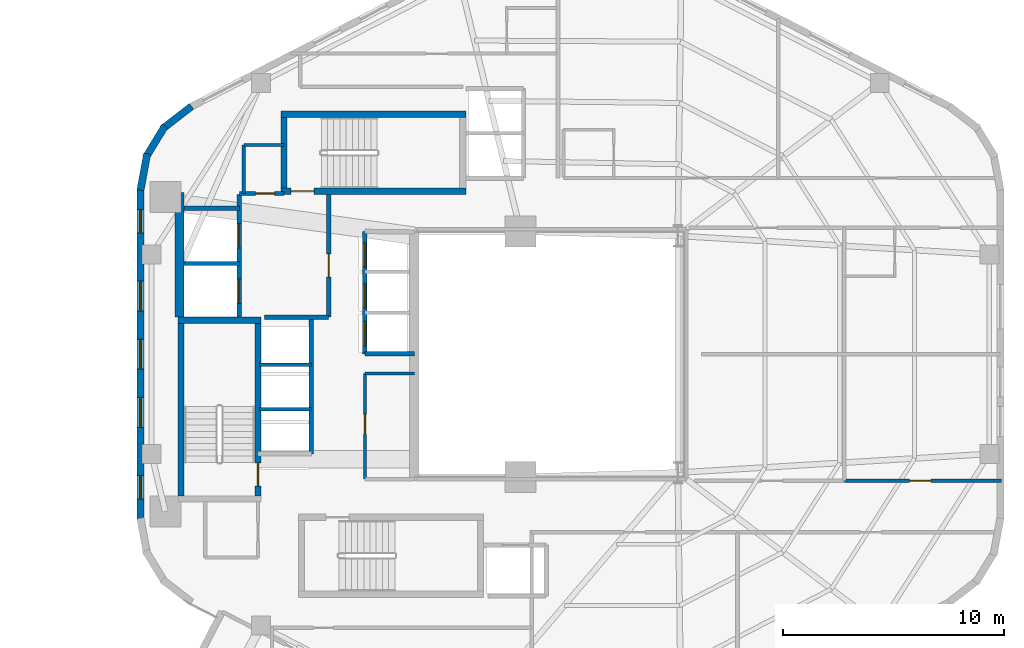
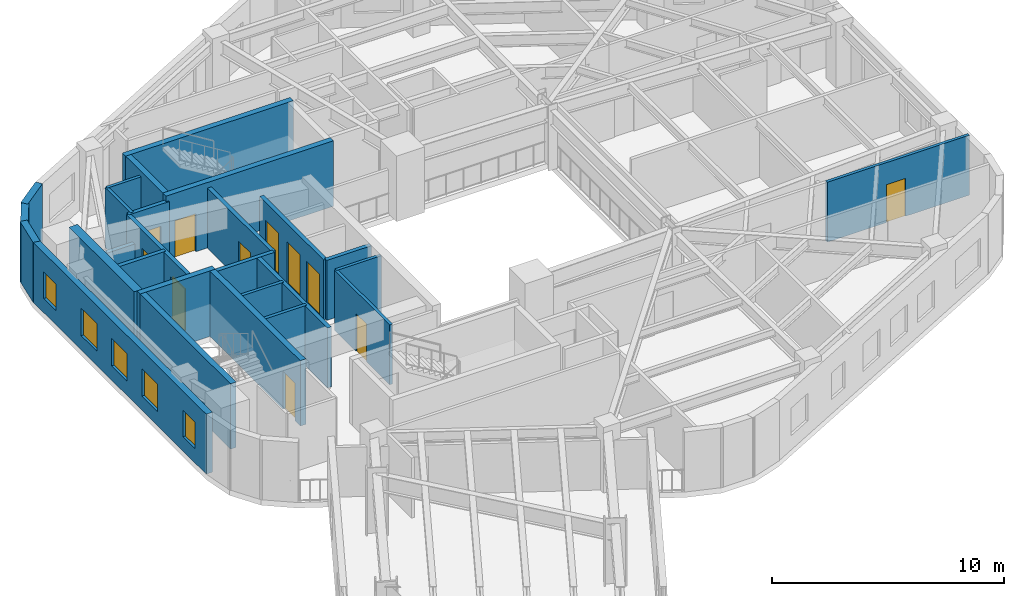
# One storey, part 6 of 9: 27 walls, 11 doors, 5 windows, 16 openings.
"""IFC4 building model written with IfcOpenShell, lengths in metres."""

from ifc_helpers import new_model, si_unit, direction, frame, frame_2d, origin, place, context, subcontext, project, spatial, rectangle, extrude, material, layer, layer_set, type_object, element, fill, save


model = new_model("IFC4")

# Units and contexts
model_context = context("Model", 3, precision=1e-05, world=origin(), true_north=direction((0.0, 1.0)))
body_context = subcontext(model_context, "Body", "Model", "MODEL_VIEW")
ifc_project = project(units=[si_unit("LENGTHUNIT", "METRE"), si_unit("AREAUNIT", "SQUARE_METRE"), si_unit("VOLUMEUNIT", "CUBIC_METRE"), si_unit("PLANEANGLEUNIT", "RADIAN"), si_unit("MASSUNIT", "GRAM", prefix="KILO"), si_unit("THERMODYNAMICTEMPERATUREUNIT", "KELVIN"), si_unit("POWERUNIT", "WATT")], contexts=[model_context])

# Site, building, storey
site_placement = place(None, origin())
site = spatial("IfcSite", under=ifc_project, at=site_placement, CompositionType="ELEMENT")
building_placement = place(site_placement, origin())
building = spatial("IfcBuilding", under=site, at=building_placement, Name="Skarre Station Tower", CompositionType="ELEMENT")
storey_placement = place(building_placement, frame((0.0, 0.0, 174.0)))
storey = spatial("IfcBuildingStorey", under=building, at=storey_placement, Name="L47", CompositionType="ELEMENT", Elevation=174.0)

# Wall, opening, door
ifc_material_1 = material(Name="Acoustic Steel-Stud Gypsum Partition", Category="steel")
ifc_layer_1 = layer(ifc_material_1, 0.14990234375, Name="Acoustic Steel-Stud Gypsum Partition")
ifc_layer_set_1 = layer_set([ifc_layer_1], Name="Acoustic Steel-Stud Gypsum Partition")
wall_type_1 = type_object("IfcWallType", Name="Fire-Rated Corridor Acoustic Partition 150", PredefinedType="PARTITIONING", material=ifc_layer_set_1)
wall_1_placement = place(storey_placement, frame((25.320068359375, 23.1298828125, 0.0), z_axis=(0.0, 0.0, 1.0), x_axis=(0.0, -1.0, 0.0)))
wall_1 = element("IfcWall", 1, at=wall_1_placement, inside=storey, type_object=wall_type_1, Name="L47 Interior Partition WL-PT-L47-RC1-W1", PredefinedType="PARTITIONING", context=body_context, shape_type="SweptSolid", body=[
    extrude(rectangle(XDim=4.769775390625, YDim=0.14990234375, at=frame_2d((2.384765625, 0.0))), origin(), (0.0, 0.0, 1.0), 3.159912109375),
])
opening_1_placement = place(wall_1_placement, frame((1.85009765625, 0.0, 0.0)))
opening_1 = element("IfcOpeningElement", 2, at=opening_1_placement, cuts=wall_1, Name="Opening DR-SVC90", PredefinedType="OPENING", context=body_context, shape_type="SweptSolid", body=[
    extrude(rectangle(XDim=0.89990234375, YDim=2.0, at=frame_2d((0.449951171875, 1.0))), frame((0.0, 0.0849609375, 0.0), z_axis=(0.0, -1.0, 0.0), x_axis=(1.0, 0.0, 0.0)), (0.0, 0.0, 1.0), 0.169921875),
])
ifc_material_2 = material(Name="Powder-Coated Hollow-Metal Acoustic Fire Leaf", Category="steel")
door_type_1 = type_object("IfcDoorType", Name="Service & Riser Fire Door FD60 900x2100", OperationType="SINGLE_SWING_LEFT", PredefinedType="DOOR", material=ifc_material_2)
door_1_placement = place(opening_1_placement, origin())
door_1 = element("IfcDoor", 3, at=door_1_placement, inside=storey, type_object=door_type_1, Name="L47 Core IT Room Door", OperationType="SINGLE_SWING_LEFT", OverallHeight=2.0, OverallWidth=0.89990234375, PredefinedType="DOOR", context=body_context, shape_type="SweptSolid", body=[
    extrude(rectangle(XDim=0.89990234375, YDim=2.0, at=frame_2d((0.449951171875, 1.0))), frame((0.0, 0.02490234375, 0.0), z_axis=(0.0, -1.0, 0.0), x_axis=(1.0, 0.0, 0.0)), (0.0, 0.0, 1.0), 0.050048828125),
])
fill(opening_1, door_1)

# Walls
wall_2_placement = place(storey_placement, frame((25.320068359375, 23.1298828125, 0.0), z_axis=(0.0, 0.0, 1.0), x_axis=(1.0, 0.0, 0.0)))
element("IfcWall", 4, at=wall_2_placement, inside=storey, type_object=wall_type_1, Name="L47 Interior Partition WL-PT-L47-RC1-N3", PredefinedType="PARTITIONING", context=body_context, shape_type="SweptSolid", body=[
    extrude(rectangle(XDim=2.22998046875, YDim=0.14990234375, at=frame_2d((1.114990234375, 0.0))), origin(), (0.0, 0.0, 1.0), 3.159912109375),
])
wall_3_placement = place(storey_placement, frame((19.85009765625, 33.449951171875, 0.0), z_axis=(0.0, 0.0, 1.0), x_axis=(0.0, -1.0, 0.0)))
element("IfcWall", 5, at=wall_3_placement, inside=storey, type_object=wall_type_1, Name="L47 Interior Partition WL-PT-L47-CNW-W", PredefinedType="PARTITIONING", context=body_context, shape_type="SweptSolid", body=[
    extrude(rectangle(XDim=2.18994140625, YDim=0.14990234375, at=frame_2d((1.094970703125, 0.0))), origin(), (0.0, 0.0, 1.0), 3.159912109375),
])
wall_4_placement = place(storey_placement, frame((21.659912109375, 33.449951171875, 0.0), z_axis=(0.0, 0.0, 1.0), x_axis=(-1.0, 0.0, 0.0)))
element("IfcWall", 6, at=wall_4_placement, inside=storey, type_object=wall_type_1, Name="L47 Interior Partition WL-PT-L47-CNW-N1", PredefinedType="PARTITIONING", context=body_context, shape_type="SweptSolid", body=[
    extrude(rectangle(XDim=1.809814453125, YDim=0.14990234375, at=frame_2d((0.90478515625, 0.0))), origin(), (0.0, 0.0, 1.0), 3.159912109375),
])

# Wall, opening, door
wall_5_placement = place(storey_placement, frame((54.06201171875, 18.2900390625, 0.0), z_axis=(0.0, 0.0, 1.0), x_axis=(-1.0, 0.0, 0.0)))
wall_5 = element("IfcWall", 7, at=wall_5_placement, inside=storey, type_object=wall_type_1, Name="L47 Interior Partition WL-PT-L47-EWS2-CW", PredefinedType="PARTITIONING", context=body_context, shape_type="SweptSolid", body=[
    extrude(rectangle(XDim=7.0859375, YDim=0.14990234375, at=frame_2d((3.54296875, 0.0))), origin(), (0.0, 0.0, 1.0), 3.159912109375),
])
opening_2_placement = place(wall_5_placement, frame((3.18310546875, 0.0, 0.0)))
opening_2 = element("IfcOpeningElement", 8, at=opening_2_placement, cuts=wall_5, Name="Opening DR-FD60", PredefinedType="OPENING", context=body_context, shape_type="SweptSolid", body=[
    extrude(rectangle(XDim=0.9599609375, YDim=2.0, at=frame_2d((0.47998046875, 1.0))), frame((0.0, 0.0849609375, 0.0), z_axis=(0.0, -1.0, 0.0), x_axis=(1.0, 0.0, 0.0)), (0.0, 0.0, 1.0), 0.169921875),
])
ifc_material_3 = material(Name="Nordic White-Oak Veneer Solid-Core Fire Leaf", Category="wood")
door_type_2 = type_object("IfcDoorType", Name="Corridor Suite Entry Fire Door FD60 960x2150", OperationType="SINGLE_SWING_LEFT", PredefinedType="DOOR", material=ifc_material_3)
door_2_placement = place(opening_2_placement, origin())
door_2 = element("IfcDoor", 9, at=door_2_placement, inside=storey, type_object=door_type_2, Name="L47 EWS2 Entry Door", OperationType="SINGLE_SWING_LEFT", OverallHeight=2.0, OverallWidth=0.9599609375, PredefinedType="DOOR", context=body_context, shape_type="SweptSolid", body=[
    extrude(rectangle(XDim=0.9599609375, YDim=2.0, at=frame_2d((0.47998046875, 1.0))), frame((0.0, 0.02490234375, 0.0), z_axis=(0.0, -1.0, 0.0), x_axis=(1.0, 0.0, 0.0)), (0.0, 0.0, 1.0), 0.050048828125),
])
fill(opening_2, door_2)

# Walls
ifc_material_4 = material(Name="Precast concrete C45/55", Category="concrete")
ifc_layer_2 = layer(ifc_material_4, 0.330078125, Name="Precast concrete C45/55")
ifc_layer_set_2 = layer_set([ifc_layer_2], Name="Precast concrete C45/55")
wall_type_2 = type_object("IfcWallType", Name="Nordic Rounded Corner Precast Wall 330", PredefinedType="STANDARD", material=ifc_layer_set_2)
wall_6_placement = place(storey_placement, frame((15.178955078125, 31.407958984375, 0.0), z_axis=(0.0, 0.0, 1.0), x_axis=(0.180717642671, 0.983535019014, 0.0)))
element("IfcWall", 10, at=wall_6_placement, inside=storey, type_object=wall_type_2, Name="L47 Rounded Corner Precast Wall F2-1", PredefinedType="STANDARD", context=body_context, shape_type="SweptSolid", body=[
    extrude(rectangle(XDim=1.676513671875, YDim=0.330078125, at=frame_2d((0.83837890625, 0.0))), origin(), (0.0, 0.0, 1.0), 3.159912109375),
])
wall_7_placement = place(storey_placement, frame((15.4150390625, 32.882080078125, 0.0), z_axis=(0.0, 0.0, 1.0), x_axis=(0.520325409202, 0.853968072318, 0.0)))
element("IfcWall", 11, at=wall_7_placement, inside=storey, type_object=wall_type_2, Name="L47 Rounded Corner Precast Wall F2-2", PredefinedType="STANDARD", context=body_context, shape_type="SweptSolid", body=[
    extrude(rectangle(XDim=1.677978515625, YDim=0.330078125, at=frame_2d((0.8388671875, 0.0))), origin(), (0.0, 0.0, 1.0), 3.159912109375),
])
wall_8_placement = place(storey_placement, frame((16.162109375, 34.175048828125, 0.0), z_axis=(0.0, 0.0, 1.0), x_axis=(0.791409877269, 0.611285862884, 0.0)))
element("IfcWall", 12, at=wall_8_placement, inside=storey, type_object=wall_type_2, Name="L47 Rounded Corner Precast Wall F2-3", PredefinedType="STANDARD", context=body_context, shape_type="SweptSolid", body=[
    extrude(rectangle(XDim=1.676513671875, YDim=0.330078125, at=frame_2d((0.83837890625, 0.0))), origin(), (0.0, 0.0, 1.0), 3.159912109375),
])

# Wall, openings, windows
ifc_layer_3 = layer(ifc_material_4, 0.31005859375, Name="Precast concrete C45/55")
ifc_layer_set_3 = layer_set([ifc_layer_3], Name="Precast concrete C45/55")
wall_type_3 = type_object("IfcWallType", Name="Nordic Upper-Zone Precast Facet Wall 310", PredefinedType="STANDARD", material=ifc_layer_set_3)
wall_9_placement = place(storey_placement, frame((15.18310546875, 16.498046875, 0.0), z_axis=(0.0, 0.0, 1.0), x_axis=(0.0, 1.0, 0.0)))
wall_9 = element("IfcWall", 13, at=wall_9_placement, inside=storey, type_object=wall_type_3, Name="L47 Facet 2 Nordic Precast Masonry Wall", PredefinedType="STANDARD", context=body_context, shape_type="SweptSolid", body=[
    extrude(rectangle(XDim=15.00390625, YDim=0.31005859375, at=frame_2d((7.501953125, 0.0))), origin(), (0.0, 0.0, 1.0), 3.159912109375),
])
opening_3_placement = place(wall_9_placement, frame((0.968017578125, 0.0, 0.75)))
opening_3 = element("IfcOpeningElement", 14, at=opening_3_placement, cuts=wall_9, Name="Opening WN-SLT", PredefinedType="OPENING", context=body_context, shape_type="SweptSolid", body=[
    extrude(rectangle(XDim=1.050048828125, YDim=1.39990234375, at=frame_2d((0.52490234375, 0.699951171875))), frame((0.0, 0.1650390625, 0.0), z_axis=(0.0, -1.0, 0.0), x_axis=(1.0, 0.0, 0.0)), (0.0, 0.0, 1.0), 0.330078125),
])
opening_4_placement = place(wall_9_placement, frame((4.202880859375, 0.0, 0.75)))
opening_4 = element("IfcOpeningElement", 15, at=opening_4_placement, cuts=wall_9, Name="Opening WN-Z3B", PredefinedType="OPENING", context=body_context, shape_type="SweptSolid", body=[
    extrude(rectangle(XDim=1.35009765625, YDim=1.449951171875, at=frame_2d((0.675048828125, 0.72509765625))), frame((0.0, 0.1650390625, 0.0), z_axis=(0.0, -1.0, 0.0), x_axis=(1.0, 0.0, 0.0)), (0.0, 0.0, 1.0), 0.330078125),
])
opening_5_placement = place(wall_9_placement, frame((6.826904296875, 0.0, 0.75)))
opening_5 = element("IfcOpeningElement", 16, at=opening_5_placement, cuts=wall_9, Name="Opening WN-Z3B", PredefinedType="OPENING", context=body_context, shape_type="SweptSolid", body=[
    extrude(rectangle(XDim=1.35009765625, YDim=1.449951171875, at=frame_2d((0.675048828125, 0.72509765625))), frame((0.0, 0.1650390625, 0.0), z_axis=(0.0, -1.0, 0.0), x_axis=(1.0, 0.0, 0.0)), (0.0, 0.0, 1.0), 0.330078125),
])
opening_6_placement = place(wall_9_placement, frame((9.450927734375, 0.0, 0.75)))
opening_6 = element("IfcOpeningElement", 17, at=opening_6_placement, cuts=wall_9, Name="Opening WN-Z3B", PredefinedType="OPENING", context=body_context, shape_type="SweptSolid", body=[
    extrude(rectangle(XDim=1.35009765625, YDim=1.449951171875, at=frame_2d((0.675048828125, 0.72509765625))), frame((0.0, 0.1650390625, 0.0), z_axis=(0.0, -1.0, 0.0), x_axis=(1.0, 0.0, 0.0)), (0.0, 0.0, 1.0), 0.330078125),
])
opening_7_placement = place(wall_9_placement, frame((12.986083984375, 0.0, 0.75)))
opening_7 = element("IfcOpeningElement", 18, at=opening_7_placement, cuts=wall_9, Name="Opening WN-SLT", PredefinedType="OPENING", context=body_context, shape_type="SweptSolid", body=[
    extrude(rectangle(XDim=1.050048828125, YDim=1.39990234375, at=frame_2d((0.52490234375, 0.699951171875))), frame((0.0, 0.1650390625, 0.0), z_axis=(0.0, -1.0, 0.0), x_axis=(1.0, 0.0, 0.0)), (0.0, 0.0, 1.0), 0.330078125),
])
ifc_material_5 = material(Name="Low-Iron Triple Glazing with Bronze Anodized Frame", Category="glass")
window_type_1 = type_object("IfcWindowType", Name="Nordic Corner Slot Window 1050x1400", PartitioningType="SINGLE_PANEL", PredefinedType="WINDOW", material=ifc_material_5)
window_1_placement = place(opening_3_placement, origin())
window_1 = element("IfcWindow", 19, at=window_1_placement, inside=storey, type_object=window_type_1, Name="L47 Facade Window WL-FAC-L47-F2-1", OverallHeight=1.39990234375, OverallWidth=1.050048828125, PartitioningType="SINGLE_PANEL", PredefinedType="WINDOW", context=body_context, shape_type="SweptSolid", body=[
    extrude(rectangle(XDim=1.050048828125, YDim=1.39990234375, at=frame_2d((0.52490234375, 0.699951171875))), frame((0.0, 0.030029296875, 0.0), z_axis=(0.0, -1.0, 0.0), x_axis=(1.0, 0.0, 0.0)), (0.0, 0.0, 1.0), 0.06005859375),
])
fill(opening_3, window_1)
window_2_placement = place(opening_7_placement, origin())
window_2 = element("IfcWindow", 20, at=window_2_placement, inside=storey, type_object=window_type_1, Name="L47 Facade Window WL-FAC-L47-F2-5", OverallHeight=1.39990234375, OverallWidth=1.050048828125, PartitioningType="SINGLE_PANEL", PredefinedType="WINDOW", context=body_context, shape_type="SweptSolid", body=[
    extrude(rectangle(XDim=1.050048828125, YDim=1.39990234375, at=frame_2d((0.52490234375, 0.699951171875))), frame((0.0, 0.030029296875, 0.0), z_axis=(0.0, -1.0, 0.0), x_axis=(1.0, 0.0, 0.0)), (0.0, 0.0, 1.0), 0.06005859375),
])
fill(opening_7, window_2)
window_type_2 = type_object("IfcWindowType", Name="Nordic Hospitality Narrow Window 1350x1450", PartitioningType="SINGLE_PANEL", PredefinedType="WINDOW", material=ifc_material_5)
window_3_placement = place(opening_4_placement, origin())
window_3 = element("IfcWindow", 21, at=window_3_placement, inside=storey, type_object=window_type_2, Name="L47 Facade Window WL-FAC-L47-F2-2", OverallHeight=1.449951171875, OverallWidth=1.35009765625, PartitioningType="SINGLE_PANEL", PredefinedType="WINDOW", context=body_context, shape_type="SweptSolid", body=[
    extrude(rectangle(XDim=1.35009765625, YDim=1.449951171875, at=frame_2d((0.675048828125, 0.72509765625))), frame((0.0, 0.030029296875, 0.0), z_axis=(0.0, -1.0, 0.0), x_axis=(1.0, 0.0, 0.0)), (0.0, 0.0, 1.0), 0.06005859375),
])
fill(opening_4, window_3)
window_4_placement = place(opening_5_placement, origin())
window_4 = element("IfcWindow", 22, at=window_4_placement, inside=storey, type_object=window_type_2, Name="L47 Facade Window WL-FAC-L47-F2-3", OverallHeight=1.449951171875, OverallWidth=1.35009765625, PartitioningType="SINGLE_PANEL", PredefinedType="WINDOW", context=body_context, shape_type="SweptSolid", body=[
    extrude(rectangle(XDim=1.35009765625, YDim=1.449951171875, at=frame_2d((0.675048828125, 0.72509765625))), frame((0.0, 0.030029296875, 0.0), z_axis=(0.0, -1.0, 0.0), x_axis=(1.0, 0.0, 0.0)), (0.0, 0.0, 1.0), 0.06005859375),
])
fill(opening_5, window_4)
window_5_placement = place(opening_6_placement, origin())
window_5 = element("IfcWindow", 23, at=window_5_placement, inside=storey, type_object=window_type_2, Name="L47 Facade Window WL-FAC-L47-F2-4", OverallHeight=1.449951171875, OverallWidth=1.35009765625, PartitioningType="SINGLE_PANEL", PredefinedType="WINDOW", context=body_context, shape_type="SweptSolid", body=[
    extrude(rectangle(XDim=1.35009765625, YDim=1.449951171875, at=frame_2d((0.675048828125, 0.72509765625))), frame((0.0, 0.030029296875, 0.0), z_axis=(0.0, -1.0, 0.0), x_axis=(1.0, 0.0, 0.0)), (0.0, 0.0, 1.0), 0.06005859375),
])
fill(opening_6, window_5)

# Walls
ifc_material_6 = material(Name="Concrete C50/60", Category="concrete")
ifc_layer_4 = layer(ifc_material_6, 0.280029296875, Name="Concrete C50/60")
ifc_layer_set_4 = layer_set([ifc_layer_4], Name="Concrete C50/60")
wall_type_4 = type_object("IfcWallType", Name="RC Core Shear Wall 280", PredefinedType="SHEAR", material=ifc_layer_set_4)
wall_10_placement = place(storey_placement, frame((20.6298828125, 25.5400390625, 0.0), z_axis=(0.0, 0.0, 1.0), x_axis=(-1.0, 0.0, 0.0)))
element("IfcWall", 24, at=wall_10_placement, inside=storey, type_object=wall_type_4, Name="L47 Stair ST-1 North Shear Wall", PredefinedType="SHEAR", context=body_context, shape_type="SweptSolid", body=[
    extrude(rectangle(XDim=3.759765625, YDim=0.280029296875, at=frame_2d((1.8798828125, 0.0))), origin(), (0.0, 0.0, 1.0), 3.449951171875),
])
wall_11_placement = place(storey_placement, frame((17.010009765625, 25.39990234375, 0.0), z_axis=(0.0, 0.0, 1.0), x_axis=(0.0, -1.0, 0.0)))
element("IfcWall", 25, at=wall_11_placement, inside=storey, type_object=wall_type_4, Name="L47 Stair ST-1 West Shear Wall", PredefinedType="SHEAR", context=body_context, shape_type="SweptSolid", body=[
    extrude(rectangle(XDim=7.7998046875, YDim=0.280029296875, at=frame_2d((3.89990234375, 0.0))), origin(), (0.0, 0.0, 1.0), 3.449951171875),
])

# Wall, opening, door
wall_12_placement = place(storey_placement, frame((20.489990234375, 17.60009765625, 0.0), z_axis=(0.0, 0.0, 1.0), x_axis=(0.0, 1.0, 0.0)))
wall_12 = element("IfcWall", 26, at=wall_12_placement, inside=storey, type_object=wall_type_4, Name="L47 Stair ST-1 East Shear Wall", PredefinedType="SHEAR", context=body_context, shape_type="SweptSolid", body=[
    extrude(rectangle(XDim=7.7998046875, YDim=0.280029296875, at=frame_2d((3.89990234375, 0.0))), origin(), (0.0, 0.0, 1.0), 3.449951171875),
])
opening_8_placement = place(wall_12_placement, frame((0.43994140625, 0.0, 0.0)))
opening_8 = element("IfcOpeningElement", 27, at=opening_8_placement, cuts=wall_12, Name="Opening DR-FD90", PredefinedType="OPENING", context=body_context, shape_type="SweptSolid", body=[
    extrude(rectangle(XDim=1.050048828125, YDim=2.0, at=frame_2d((0.52490234375, 1.0))), frame((0.0, 0.14990234375, 0.0), z_axis=(0.0, -1.0, 0.0), x_axis=(1.0, 0.0, 0.0)), (0.0, 0.0, 1.0), 0.300048828125),
])
ifc_material_7 = material(Name="Fire-Rated Insulated Steel Frame & Timber Core Leaf", Category="steel")
door_type_3 = type_object("IfcDoorType", Name="Stair & FSAE Lobby Fire Door FD90 1050x2150", OperationType="SINGLE_SWING_RIGHT", PredefinedType="DOOR", material=ifc_material_7)
door_3_placement = place(opening_8_placement, origin())
door_3 = element("IfcDoor", 28, at=door_3_placement, inside=storey, type_object=door_type_3, Name="L47 Stair ST-1 Exit Door", OperationType="SINGLE_SWING_RIGHT", OverallHeight=2.0, OverallWidth=1.050048828125, PredefinedType="DOOR", context=body_context, shape_type="SweptSolid", body=[
    extrude(rectangle(XDim=1.050048828125, YDim=2.0, at=frame_2d((0.52490234375, 1.0))), frame((0.0, 0.02490234375, 0.0), z_axis=(0.0, -1.0, 0.0), x_axis=(1.0, 0.0, 0.0)), (0.0, 0.0, 1.0), 0.050048828125),
])
fill(opening_8, door_3)

wall_13_placement = place(storey_placement, frame((21.52001953125, 31.360107421875, 0.0), z_axis=(0.0, 0.0, 1.0), x_axis=(1.0, 0.0, 0.0)))
wall_13 = element("IfcWall", 29, at=wall_13_placement, inside=storey, type_object=wall_type_4, Name="L47 Stair ST-3 South Shear Wall", PredefinedType="SHEAR", context=body_context, shape_type="SweptSolid", body=[
    extrude(rectangle(XDim=8.35986328125, YDim=0.280029296875, at=frame_2d((4.179931640625, 0.0))), origin(), (0.0, 0.0, 1.0), 3.449951171875),
])
opening_9_placement = place(wall_13_placement, frame((0.449951171875, 0.0, 0.0)))
opening_9 = element("IfcOpeningElement", 30, at=opening_9_placement, cuts=wall_13, Name="Opening DR-FD90", PredefinedType="OPENING", context=body_context, shape_type="SweptSolid", body=[
    extrude(rectangle(XDim=1.050048828125, YDim=2.0, at=frame_2d((0.52490234375, 1.0))), frame((0.0, 0.14990234375, 0.0), z_axis=(0.0, -1.0, 0.0), x_axis=(1.0, 0.0, 0.0)), (0.0, 0.0, 1.0), 0.300048828125),
])
door_4_placement = place(opening_9_placement, origin())
door_4 = element("IfcDoor", 31, at=door_4_placement, inside=storey, type_object=door_type_3, Name="L47 Stair ST-3 & FSAE Lobby Direct Exit Door", OperationType="SINGLE_SWING_LEFT", OverallHeight=2.0, OverallWidth=1.050048828125, PredefinedType="DOOR", context=body_context, shape_type="SweptSolid", body=[
    extrude(rectangle(XDim=1.050048828125, YDim=2.0, at=frame_2d((0.52490234375, 1.0))), frame((0.0, 0.02490234375, 0.0), z_axis=(0.0, -1.0, 0.0), x_axis=(1.0, 0.0, 0.0)), (0.0, 0.0, 1.0), 0.050048828125),
])
fill(opening_9, door_4)

# Walls
wall_14_placement = place(storey_placement, frame((29.8798828125, 34.840087890625, 0.0), z_axis=(0.0, 0.0, 1.0), x_axis=(-1.0, 0.0, 0.0)))
element("IfcWall", 32, at=wall_14_placement, inside=storey, type_object=wall_type_4, Name="L47 Stair ST-3 North Shear Wall", PredefinedType="SHEAR", context=body_context, shape_type="SweptSolid", body=[
    extrude(rectangle(XDim=8.35986328125, YDim=0.280029296875, at=frame_2d((4.179931640625, 0.0))), origin(), (0.0, 0.0, 1.0), 3.449951171875),
])
wall_15_placement = place(storey_placement, frame((21.659912109375, 34.699951171875, 0.0), z_axis=(0.0, 0.0, 1.0), x_axis=(0.0, -1.0, 0.0)))
element("IfcWall", 33, at=wall_15_placement, inside=storey, type_object=wall_type_4, Name="L47 Stair ST-3 West Shear Wall", PredefinedType="SHEAR", context=body_context, shape_type="SweptSolid", body=[
    extrude(rectangle(XDim=3.199951171875, YDim=0.280029296875, at=frame_2d((1.60009765625, 0.0))), origin(), (0.0, 0.0, 1.0), 3.449951171875),
])
ifc_material_8 = material(Name="Concrete C60/75", Category="concrete")
ifc_layer_5 = layer(ifc_material_8, 0.419921875, Name="Concrete C60/75")
ifc_layer_set_5 = layer_set([ifc_layer_5], Name="Concrete C60/75")
wall_type_5 = type_object("IfcWallType", Name="RC Core Shear Wall 420", PredefinedType="SHEAR", material=ifc_layer_set_5)
wall_16_placement = place(storey_placement, frame((16.93994140625, 25.679931640625, 0.0), z_axis=(0.0, 0.0, 1.0), x_axis=(0.0, 1.0, 0.0)))
element("IfcWall", 34, at=wall_16_placement, inside=storey, type_object=wall_type_5, Name="L47 Core West-North Shear Wall", PredefinedType="SHEAR", context=body_context, shape_type="SweptSolid", body=[
    extrude(rectangle(XDim=5.6201171875, YDim=0.419921875, at=frame_2d((2.81005859375, 0.0))), origin(), (0.0, 0.0, 1.0), 3.449951171875),
])

# Wall, openings, doors
ifc_material_9 = material(Name="Gypsum Concrete Shaft Assembly C30/37", Category="concrete")
ifc_layer_6 = layer(ifc_material_9, 0.199951171875, Name="Gypsum Concrete Shaft Assembly C30/37")
ifc_layer_set_6 = layer_set([ifc_layer_6], Name="Gypsum Concrete Shaft Assembly C30/37")
wall_type_6 = type_object("IfcWallType", Name="Shaft & Core Fire Partition 200", PredefinedType="PARTITIONING", material=ifc_layer_set_6)
wall_17_placement = place(storey_placement, frame((19.64990234375, 25.679931640625, 0.0), z_axis=(0.0, 0.0, 1.0), x_axis=(0.0, 1.0, 0.0)))
wall_17 = element("IfcWall", 35, at=wall_17_placement, inside=storey, type_object=wall_type_6, Name="L47 Interior Partition WL-PT-L47-FSAE-W", PredefinedType="PARTITIONING", context=body_context, shape_type="SweptSolid", body=[
    extrude(rectangle(XDim=5.5400390625, YDim=0.199951171875, at=frame_2d((2.77001953125, 0.0))), origin(), (0.0, 0.0, 1.0), 3.159912109375),
])
opening_10_placement = place(wall_17_placement, frame((0.6201171875, 0.0, 0.0)))
opening_10 = element("IfcOpeningElement", 36, at=opening_10_placement, cuts=wall_17, Name="Opening LD-FF1", PredefinedType="OPENING", context=body_context, shape_type="SweptSolid", body=[
    extrude(rectangle(XDim=1.10009765625, YDim=2.199951171875, at=frame_2d((0.550048828125, 1.10009765625))), frame((0.0, 0.10986328125, 0.0), z_axis=(0.0, -1.0, 0.0), x_axis=(1.0, 0.0, 0.0)), (0.0, 0.0, 1.0), 0.219970703125),
])
opening_11_placement = place(wall_17_placement, frame((3.1201171875, 0.0, 0.0)))
opening_11 = element("IfcOpeningElement", 37, at=opening_11_placement, cuts=wall_17, Name="Opening LD-FF2", PredefinedType="OPENING", context=body_context, shape_type="SweptSolid", body=[
    extrude(rectangle(XDim=1.10009765625, YDim=2.199951171875, at=frame_2d((0.550048828125, 1.10009765625))), frame((0.0, 0.10986328125, 0.0), z_axis=(0.0, -1.0, 0.0), x_axis=(1.0, 0.0, 0.0)), (0.0, 0.0, 1.0), 0.219970703125),
])
ifc_material_10 = material(Name="Fire-Rated Stainless Steel Grade 316L Sliding Leaves", Category="steel")
door_type_4 = type_object("IfcDoorType", Name="Fire Service Access Elevator Sliding Landing Door 1100x2200", OperationType="SLIDING_TO_LEFT", PredefinedType="DOOR", material=ifc_material_10)
door_5_placement = place(opening_10_placement, origin())
door_5 = element("IfcDoor", 38, at=door_5_placement, inside=storey, type_object=door_type_4, Name="L47 Firefighting Lift LF-FF1 Landing Door", OperationType="SLIDING_TO_LEFT", OverallHeight=2.199951171875, OverallWidth=1.10009765625, PredefinedType="DOOR", context=body_context, shape_type="SweptSolid", body=[
    extrude(rectangle(XDim=1.10009765625, YDim=2.199951171875, at=frame_2d((0.550048828125, 1.10009765625))), frame((0.0, 0.02490234375, 0.0), z_axis=(0.0, -1.0, 0.0), x_axis=(1.0, 0.0, 0.0)), (0.0, 0.0, 1.0), 0.050048828125),
])
fill(opening_10, door_5)
door_6_placement = place(opening_11_placement, origin())
door_6 = element("IfcDoor", 39, at=door_6_placement, inside=storey, type_object=door_type_4, Name="L47 Firefighting Lift LF-FF2 Landing Door", OperationType="SLIDING_TO_LEFT", OverallHeight=2.199951171875, OverallWidth=1.10009765625, PredefinedType="DOOR", context=body_context, shape_type="SweptSolid", body=[
    extrude(rectangle(XDim=1.10009765625, YDim=2.199951171875, at=frame_2d((0.550048828125, 1.10009765625))), frame((0.0, 0.02490234375, 0.0), z_axis=(0.0, -1.0, 0.0), x_axis=(1.0, 0.0, 0.0)), (0.0, 0.0, 1.0), 0.050048828125),
])
fill(opening_11, door_6)

# Wall
wall_18_placement = place(storey_placement, frame((20.79296875, 25.679931640625, 0.0), z_axis=(0.0, 0.0, 1.0), x_axis=(1.0, 0.0, 0.0)))
element("IfcWall", 40, at=wall_18_placement, inside=storey, type_object=wall_type_6, Name="L47 Interior Partition WL-PT-L47-FSAE-S", PredefinedType="PARTITIONING", context=body_context, shape_type="SweptSolid", body=[
    extrude(rectangle(XDim=2.886962890625, YDim=0.199951171875, at=frame_2d((1.443359375, 0.0))), origin(), (0.0, 0.0, 1.0), 3.159912109375),
])

# Wall, opening, door
wall_19_placement = place(storey_placement, frame((23.679931640625, 25.679931640625, 0.0), z_axis=(0.0, 0.0, 1.0), x_axis=(0.0, 1.0, 0.0)))
wall_19 = element("IfcWall", 41, at=wall_19_placement, inside=storey, type_object=wall_type_6, Name="L47 Interior Partition WL-PT-L47-FSAE-E", PredefinedType="PARTITIONING", context=body_context, shape_type="SweptSolid", body=[
    extrude(rectangle(XDim=5.5400390625, YDim=0.199951171875, at=frame_2d((2.77001953125, 0.0))), origin(), (0.0, 0.0, 1.0), 3.159912109375),
])
opening_12_placement = place(wall_19_placement, frame((1.800048828125, 0.0, 0.0)))
opening_12 = element("IfcOpeningElement", 42, at=opening_12_placement, cuts=wall_19, Name="Opening DR-FD90", PredefinedType="OPENING", context=body_context, shape_type="SweptSolid", body=[
    extrude(rectangle(XDim=1.050048828125, YDim=2.0, at=frame_2d((0.52490234375, 1.0))), frame((0.0, 0.10986328125, 0.0), z_axis=(0.0, -1.0, 0.0), x_axis=(1.0, 0.0, 0.0)), (0.0, 0.0, 1.0), 0.219970703125),
])
door_7_placement = place(opening_12_placement, origin())
door_7 = element("IfcDoor", 43, at=door_7_placement, inside=storey, type_object=door_type_3, Name="L47 FSAE Lobby Fire Door", OperationType="SINGLE_SWING_RIGHT", OverallHeight=2.0, OverallWidth=1.050048828125, PredefinedType="DOOR", context=body_context, shape_type="SweptSolid", body=[
    extrude(rectangle(XDim=1.050048828125, YDim=2.0, at=frame_2d((0.52490234375, 1.0))), frame((0.0, 0.02490234375, 0.0), z_axis=(0.0, -1.0, 0.0), x_axis=(1.0, 0.0, 0.0)), (0.0, 0.0, 1.0), 0.050048828125),
])
fill(opening_12, door_7)

wall_20_placement = place(storey_placement, frame((21.659912109375, 31.260009765625, 0.0), z_axis=(0.0, 0.0, 1.0), x_axis=(-1.0, 0.0, 0.0)))
wall_20 = element("IfcWall", 44, at=wall_20_placement, inside=storey, type_object=wall_type_6, Name="L47 Interior Partition WL-PT-L47-FSAE-N", PredefinedType="PARTITIONING", context=body_context, shape_type="SweptSolid", body=[
    extrude(rectangle(XDim=2.010009765625, YDim=0.199951171875, at=frame_2d((1.0048828125, 0.0))), origin(), (0.0, 0.0, 1.0), 3.159912109375),
])
opening_13_placement = place(wall_20_placement, frame((0.419921875, 0.0, 0.0)))
opening_13 = element("IfcOpeningElement", 45, at=opening_13_placement, cuts=wall_20, Name="Opening DR-SVC86", PredefinedType="OPENING", context=body_context, shape_type="SweptSolid", body=[
    extrude(rectangle(XDim=0.860107421875, YDim=2.0, at=frame_2d((0.43017578125, 1.0))), frame((0.0, 0.10986328125, 0.0), z_axis=(0.0, -1.0, 0.0), x_axis=(1.0, 0.0, 0.0)), (0.0, 0.0, 1.0), 0.219970703125),
])
door_type_5 = type_object("IfcDoorType", Name="Compact Riser Fire Door FD60 860x2100", OperationType="SINGLE_SWING_LEFT", PredefinedType="DOOR", material=ifc_material_2)
door_8_placement = place(opening_13_placement, origin())
door_8 = element("IfcDoor", 46, at=door_8_placement, inside=storey, type_object=door_type_5, Name="L47 Core Service Room Lobby Door", OperationType="SINGLE_SWING_LEFT", OverallHeight=2.0, OverallWidth=0.860107421875, PredefinedType="DOOR", context=body_context, shape_type="SweptSolid", body=[
    extrude(rectangle(XDim=0.860107421875, YDim=2.0, at=frame_2d((0.43017578125, 1.0))), frame((0.0, 0.02490234375, 0.0), z_axis=(0.0, -1.0, 0.0), x_axis=(1.0, 0.0, 0.0)), (0.0, 0.0, 1.0), 0.050048828125),
])
fill(opening_13, door_8)

# Walls
wall_21_placement = place(storey_placement, frame((17.14990234375, 28.10009765625, 0.0), z_axis=(0.0, 0.0, 1.0), x_axis=(1.0, 0.0, 0.0)))
element("IfcWall", 47, at=wall_21_placement, inside=storey, type_object=wall_type_6, Name="L47 Interior Partition WL-PT-L47-FF-DIV", PredefinedType="PARTITIONING", context=body_context, shape_type="SweptSolid", body=[
    extrude(rectangle(XDim=2.5, YDim=0.199951171875, at=frame_2d((1.25, 0.0))), origin(), (0.0, 0.0, 1.0), 3.159912109375),
])
wall_22_placement = place(storey_placement, frame((19.64990234375, 30.60009765625, 0.0), z_axis=(0.0, 0.0, 1.0), x_axis=(-1.0, 0.0, 0.0)))
element("IfcWall", 48, at=wall_22_placement, inside=storey, type_object=wall_type_6, Name="L47 Interior Partition WL-PT-L47-FF-N", PredefinedType="PARTITIONING", context=body_context, shape_type="SweptSolid", body=[
    extrude(rectangle(XDim=2.5, YDim=0.199951171875, at=frame_2d((1.25, 0.0))), origin(), (0.0, 0.0, 1.0), 2.06005859375),
])
wall_23_placement = place(storey_placement, frame((22.89990234375, 19.5, 0.0), z_axis=(0.0, 0.0, 1.0), x_axis=(0.0, 1.0, 0.0)))
element("IfcWall", 49, at=wall_23_placement, inside=storey, type_object=wall_type_6, Name="L47 Interior Partition WL-PT-L47-B3-E", PredefinedType="PARTITIONING", context=body_context, shape_type="SweptSolid", body=[
    extrude(rectangle(XDim=6.0849609375, YDim=0.199951171875, at=frame_2d((3.04248046875, 0.0))), origin(), (0.0, 0.0, 1.0), 3.159912109375),
])
for number, where, z_axis, x_axis, name in (
    (50, (20.550048828125, 21.52001953125, 0.0), (0.0, 0.0, 1.0), (1.0, 0.0, 0.0), "L47 Interior Partition WL-PT-L47-B3-D1"),
    (51, (20.550048828125, 23.52001953125, 0.0), (0.0, 0.0, 1.0), (1.0, 0.0, 0.0), "L47 Interior Partition WL-PT-L47-B3-D2"),
):
    element("IfcWall", number, at=place(storey_placement, frame(where, z_axis=z_axis, x_axis=x_axis)), inside=storey, type_object=wall_type_6, Name=name, PredefinedType="PARTITIONING", context=body_context, shape_type="SweptSolid", body=[
        extrude(rectangle(XDim=2.349853515625, YDim=0.159912109375, at=frame_2d((1.1748046875, 0.0))), origin(), (0.0, 0.0, 1.0), 3.159912109375),
    ])

# Wall, openings, doors
wall_24_placement = place(storey_placement, frame((25.320068359375, 29.550048828125, 0.0), z_axis=(0.0, 0.0, 1.0), x_axis=(0.0, -1.0, 0.0)))
wall_24 = element("IfcWall", 52, at=wall_24_placement, inside=storey, type_object=wall_type_6, Name="L47 Interior Partition WL-PT-L47-B2-W", PredefinedType="PARTITIONING", context=body_context, shape_type="SweptSolid", body=[
    extrude(rectangle(XDim=5.530029296875, YDim=0.199951171875, at=frame_2d((2.76513671875, 0.0))), origin(), (0.0, 0.0, 1.0), 3.159912109375),
])
opening_14_placement = place(wall_24_placement, frame((0.52001953125, 0.0, 0.0)))
opening_14 = element("IfcOpeningElement", 53, at=opening_14_placement, cuts=wall_24, Name="Opening LD-P6", PredefinedType="OPENING", context=body_context, shape_type="SweptSolid", body=[
    extrude(rectangle(XDim=1.10009765625, YDim=2.199951171875, at=frame_2d((0.550048828125, 1.10009765625))), frame((0.0, 0.10986328125, 0.0), z_axis=(0.0, -1.0, 0.0), x_axis=(1.0, 0.0, 0.0)), (0.0, 0.0, 1.0), 0.219970703125),
])
opening_15_placement = place(wall_24_placement, frame((2.3701171875, 0.0, 0.0)))
opening_15 = element("IfcOpeningElement", 54, at=opening_15_placement, cuts=wall_24, Name="Opening LD-P5", PredefinedType="OPENING", context=body_context, shape_type="SweptSolid", body=[
    extrude(rectangle(XDim=1.10009765625, YDim=2.199951171875, at=frame_2d((0.550048828125, 1.10009765625))), frame((0.0, 0.10986328125, 0.0), z_axis=(0.0, -1.0, 0.0), x_axis=(1.0, 0.0, 0.0)), (0.0, 0.0, 1.0), 0.219970703125),
])
opening_16_placement = place(wall_24_placement, frame((4.070068359375, 0.0, 0.0)))
opening_16 = element("IfcOpeningElement", 55, at=opening_16_placement, cuts=wall_24, Name="Opening LD-P4", PredefinedType="OPENING", context=body_context, shape_type="SweptSolid", body=[
    extrude(rectangle(XDim=1.10009765625, YDim=2.199951171875, at=frame_2d((0.550048828125, 1.10009765625))), frame((0.0, 0.10986328125, 0.0), z_axis=(0.0, -1.0, 0.0), x_axis=(1.0, 0.0, 0.0)), (0.0, 0.0, 1.0), 0.219970703125),
])
ifc_material_11 = material(Name="Brushed Bronze Stainless Steel Sliding Leaves", Category="steel")
door_type_6 = type_object("IfcDoorType", Name="Passenger Elevator Center-Parting Sliding Door 1100x2200", OperationType="SLIDING_TO_LEFT", PredefinedType="DOOR", material=ifc_material_11)
door_9_placement = place(opening_14_placement, origin())
door_9 = element("IfcDoor", 56, at=door_9_placement, inside=storey, type_object=door_type_6, Name="L47 Passenger Lift LF-P6 Landing Door", OperationType="SLIDING_TO_LEFT", OverallHeight=2.199951171875, OverallWidth=1.10009765625, PredefinedType="DOOR", context=body_context, shape_type="SweptSolid", body=[
    extrude(rectangle(XDim=1.10009765625, YDim=2.199951171875, at=frame_2d((0.550048828125, 1.10009765625))), frame((0.0, 0.02490234375, 0.0), z_axis=(0.0, -1.0, 0.0), x_axis=(1.0, 0.0, 0.0)), (0.0, 0.0, 1.0), 0.050048828125),
])
fill(opening_14, door_9)
door_10_placement = place(opening_15_placement, origin())
door_10 = element("IfcDoor", 57, at=door_10_placement, inside=storey, type_object=door_type_6, Name="L47 Passenger Lift LF-P5 Landing Door", OperationType="SLIDING_TO_LEFT", OverallHeight=2.199951171875, OverallWidth=1.10009765625, PredefinedType="DOOR", context=body_context, shape_type="SweptSolid", body=[
    extrude(rectangle(XDim=1.10009765625, YDim=2.199951171875, at=frame_2d((0.550048828125, 1.10009765625))), frame((0.0, 0.02490234375, 0.0), z_axis=(0.0, -1.0, 0.0), x_axis=(1.0, 0.0, 0.0)), (0.0, 0.0, 1.0), 0.050048828125),
])
fill(opening_15, door_10)
door_11_placement = place(opening_16_placement, origin())
door_11 = element("IfcDoor", 58, at=door_11_placement, inside=storey, type_object=door_type_6, Name="L47 Passenger Lift LF-P4 Landing Door", OperationType="SLIDING_TO_LEFT", OverallHeight=2.199951171875, OverallWidth=1.10009765625, PredefinedType="DOOR", context=body_context, shape_type="SweptSolid", body=[
    extrude(rectangle(XDim=1.10009765625, YDim=2.199951171875, at=frame_2d((0.550048828125, 1.10009765625))), frame((0.0, 0.02490234375, 0.0), z_axis=(0.0, -1.0, 0.0), x_axis=(1.0, 0.0, 0.0)), (0.0, 0.0, 1.0), 0.050048828125),
])
fill(opening_16, door_11)

# Wall
wall_25_placement = place(storey_placement, frame((25.320068359375, 24.02001953125, 0.0), z_axis=(0.0, 0.0, 1.0), x_axis=(1.0, 0.0, 0.0)))
element("IfcWall", 59, at=wall_25_placement, inside=storey, type_object=wall_type_6, Name="L47 Interior Partition WL-PT-L47-B2-S", PredefinedType="PARTITIONING", context=body_context, shape_type="SweptSolid", body=[
    extrude(rectangle(XDim=2.22998046875, YDim=0.199951171875, at=frame_2d((1.114990234375, 0.0))), origin(), (0.0, 0.0, 1.0), 3.159912109375),
])

save(model, "model.ifc")
